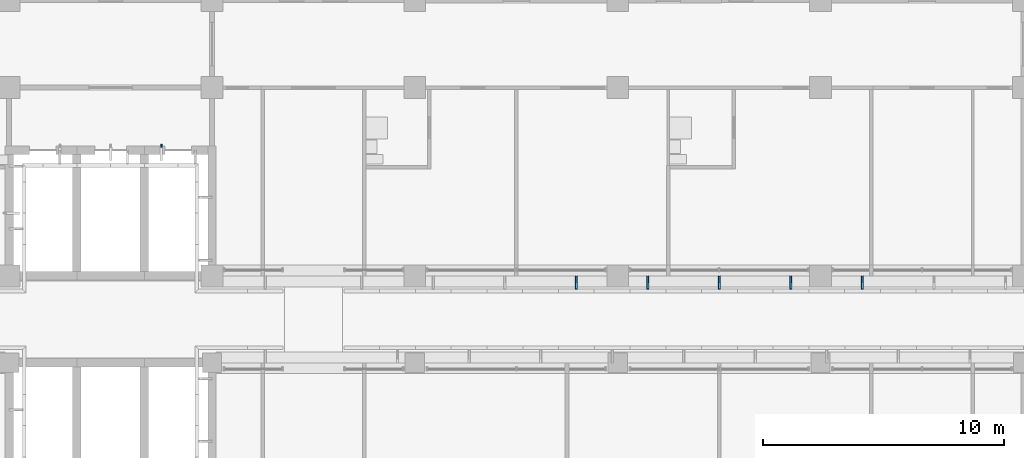
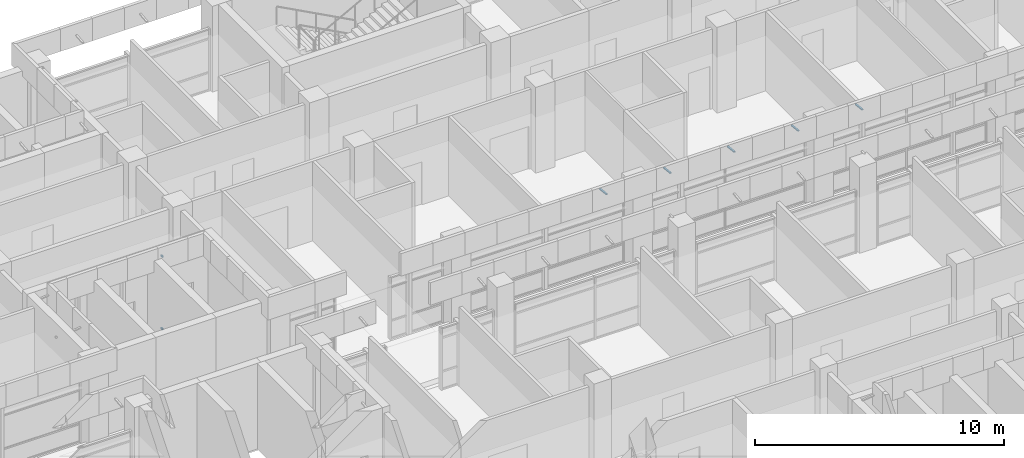
# One storey, part 102 of 137: 7 discrete accessories.
"""IFC4 building model written with IfcOpenShell, lengths in metres."""

import ifcopenshell
import ifcopenshell.guid

model = None  # the IFC model being written
_history = None  # IfcOwnerHistory: only IFC2X3 demands one
_inside = {}  # id of a spatial element -> (the spatial element, [elements in it])
_under = {}  # id of a project, library or spatial element -> (it, [spatial elements below it])
_declared = {}  # id of a project -> (the project, [libraries it declares])
_typed = {}  # id of a type object -> (the type object, [elements of that type])
_made_of = {}  # id of a material, layer set ... -> (it, [elements and type objects made of it])


def new_model(schema):
    """Start an empty IFC model of exactly this schema.

    Asked for "IFC4X3", IfcOpenShell would pick the latest addendum, in which some entities
    have other attributes; the version numbers below select the first issue.
    IFC2X3 requires an IfcOwnerHistory on every rooted entity: one is made here for all.
    """
    global model, _history
    if schema == "IFC4X3":
        model = ifcopenshell.file(schema_version=(4, 3, 0, 0))
    else:
        model = ifcopenshell.file(schema=schema)
    _inside.clear()
    _under.clear()
    _declared.clear()
    _typed.clear()
    _made_of.clear()
    _history = None
    if model.schema == "IFC2X3":
        org = make("IfcOrganization", Name="unknown")
        user = make(
            "IfcPersonAndOrganization",
            ThePerson=make("IfcPerson", FamilyName="unknown"),
            TheOrganization=org,
        )
        app = make(
            "IfcApplication",
            ApplicationDeveloper=org,
            Version="unknown",
            ApplicationFullName="unknown",
            ApplicationIdentifier="unknown",
        )
        _history = make(
            "IfcOwnerHistory",
            OwningUser=user,
            OwningApplication=app,
            ChangeAction="ADDED",
            CreationDate=0,
        )
    return model


def make(cls, **values):
    """One entity of the class cls with the attributes given. An attribute that is None is left unset."""
    return model.create_entity(
        cls, **{name: value for name, value in values.items() if value is not None}
    )


def rooted(cls, **values):
    """An entity with a GlobalId (a new one), such as an element, a storey or a relation."""
    return make(cls, GlobalId=ifcopenshell.guid.new(), OwnerHistory=_history, **values)


def si_unit(unit_type, name, prefix=None):
    """IfcSIUnit, for example si_unit("LENGTHUNIT", "METRE", prefix="MILLI")."""
    return make("IfcSIUnit", UnitType=unit_type, Prefix=prefix, Name=name)


def assignment(units):
    """IfcUnitAssignment: the units of a project."""
    return None if units is None else make("IfcUnitAssignment", Units=units)


def point(xyz):
    """IfcCartesianPoint."""
    return None if xyz is None else make("IfcCartesianPoint", Coordinates=xyz)


def direction(xyz):
    """IfcDirection."""
    return None if xyz is None else make("IfcDirection", DirectionRatios=xyz)


def frame(location, z_axis=None, x_axis=None):
    """IfcAxis2Placement3D, a coordinate frame: its origin and axes. An axis left out is left unset."""
    return make(
        "IfcAxis2Placement3D",
        Location=point(location),
        Axis=direction(z_axis),
        RefDirection=direction(x_axis),
    )


def frame_2d(location, x_axis=None):
    """IfcAxis2Placement2D, a coordinate frame in the plane: its origin and x axis."""
    return make(
        "IfcAxis2Placement2D", Location=point(location), RefDirection=direction(x_axis)
    )


def origin():
    """The frame at (0, 0, 0) with its axes left unset."""
    return frame((0.0, 0.0, 0.0))


def origin_2d():
    """The frame at (0, 0) in the plane with its x axis left unset."""
    return frame_2d((0.0, 0.0))


def place(relative_to, where):
    """IfcLocalPlacement: puts the frame where relative to a parent placement (None: the world)."""
    return make(
        "IfcLocalPlacement", PlacementRelTo=relative_to, RelativePlacement=where
    )


def context(
    kind, dimensions, precision=None, world=None, true_north=None, identifier=None
):
    """IfcGeometricRepresentationContext, for example the 3D "Model" context."""
    return make(
        "IfcGeometricRepresentationContext",
        ContextIdentifier=identifier,
        ContextType=kind,
        CoordinateSpaceDimension=dimensions,
        Precision=precision,
        WorldCoordinateSystem=world,
        TrueNorth=true_north,
    )


def subcontext(parent, identifier, kind, view, scale=None):
    """IfcGeometricRepresentationSubContext, for example "Body" below "Model"."""
    return make(
        "IfcGeometricRepresentationSubContext",
        ContextIdentifier=identifier,
        ContextType=kind,
        ParentContext=parent,
        TargetScale=scale,
        TargetView=view,
    )


def project(units=None, contexts=None):
    """IfcProject with its units and contexts."""
    return rooted(
        "IfcProject",
        Name="project",
        RepresentationContexts=contexts,
        UnitsInContext=assignment(units),
    )


def spatial(cls, under=None, at=None, **own):
    """A site, building, storey or space (cls), placed at a placement, below another one or the project."""
    s = rooted(cls, ObjectPlacement=at, **own)
    if under is not None:
        _under.setdefault(under.id(), (under, []))[1].append(s)
    return s


def profile(cls, at=None, kind="AREA", **sizes):
    """A parametric profile (cls). Its sizes go by their IFC names, for example OverallWidth=200.0."""
    return make(cls, ProfileType=kind, Position=at, **sizes)


def rectangle(**sizes):
    """IfcRectangleProfileDef."""
    return profile("IfcRectangleProfileDef", **sizes)


def extrude(swept, where, along, depth):
    """IfcExtrudedAreaSolid: the profile swept, set in the frame where, extruded along a direction by depth."""
    return make(
        "IfcExtrudedAreaSolid",
        SweptArea=swept,
        Position=where,
        ExtrudedDirection=direction(along),
        Depth=depth,
    )


def shape(context_of_items, identifier, shape_type, items):
    """IfcShapeRepresentation: the items that make up one representation, for example the "Body"."""
    return make(
        "IfcShapeRepresentation",
        ContextOfItems=context_of_items,
        RepresentationIdentifier=identifier,
        RepresentationType=shape_type,
        Items=items,
    )


def material(Name=None, Category=None):
    """IfcMaterial."""
    return make("IfcMaterial", Name=Name, Category=Category)


def material_profile(
    of_material, cross_section, Name=None, Category=None, Priority=None
):
    """IfcMaterialProfile: a cross section and its material."""
    return make(
        "IfcMaterialProfile",
        Name=Name,
        Material=of_material,
        Profile=cross_section,
        Priority=Priority,
        Category=Category,
    )


def profile_set(profiles, Name=None, composite=None):
    """IfcMaterialProfileSet."""
    return make(
        "IfcMaterialProfileSet",
        Name=Name,
        MaterialProfiles=profiles,
        CompositeProfile=composite,
    )


def made_of(thing, what):
    """Note that an element or type object is made of a material, layer set ...; save() writes the relation."""
    if what is not None:
        _made_of.setdefault(what.id(), (what, []))[1].append(thing)
    return thing


def type_object(cls, material=None, **own):
    """A type object (cls), such as IfcWallType, which elements share."""
    return made_of(rooted(cls, **own), material)


def element(
    cls,
    number,
    at=None,
    inside=None,
    cuts=None,
    type_object=None,
    material=None,
    context=None,
    identifier="Body",
    shape_type=None,
    held_by="IfcProductDefinitionShape",
    body=None,
    shapes=None,
    **own,
):
    """One element of the class cls, such as IfcWall. Its Tag is "e" and its number.

    at: its placement. inside: the storey or other place that contains it. cuts: it is an
    opening in that element (IfcRelVoidsElement). A single representation is given by context,
    identifier, shape_type and body (its items); several are given by shapes. held_by: the class
    of the entity that holds the representations. save() writes the other relations.
    """
    e = rooted(cls, Tag="e%d" % number, ObjectPlacement=at, **own)
    if body is not None:
        shapes = [shape(context, identifier, shape_type, body)]
    if shapes is not None:
        e.Representation = make(held_by, Representations=shapes)
    if inside is not None:
        _inside.setdefault(inside.id(), (inside, []))[1].append(e)
    if cuts is not None:
        rooted(
            "IfcRelVoidsElement", RelatingBuildingElement=cuts, RelatedOpeningElement=e
        )
    if type_object is not None:
        _typed.setdefault(type_object.id(), (type_object, []))[1].append(e)
    return made_of(e, material)


def aggregate(whole, parts):
    """IfcRelAggregates: a whole, such as a stair, and the parts it consists of."""
    return rooted("IfcRelAggregates", RelatingObject=whole, RelatedObjects=parts)


def save(model, path):
    """Write the relations noted so far, then the file.

    IfcRelAggregates (storeys below a building ...), IfcRelContainedInSpatialStructure (elements
    in a storey), IfcRelDefinesByType, IfcRelAssociatesMaterial and IfcRelDeclares: one each for
    every whole, place, type object, material and project.
    """
    for whole, parts in _under.values():
        aggregate(whole, parts)
    for where, things in _inside.values():
        rooted(
            "IfcRelContainedInSpatialStructure",
            RelatedElements=things,
            RelatingStructure=where,
        )
    for kind, things in _typed.values():
        rooted("IfcRelDefinesByType", RelatedObjects=things, RelatingType=kind)
    for what, things in _made_of.values():
        rooted("IfcRelAssociatesMaterial", RelatedObjects=things, RelatingMaterial=what)
    for by, libraries in _declared.values():
        rooted("IfcRelDeclares", RelatingContext=by, RelatedDefinitions=libraries)
    model.write(path)


model = new_model("IFC4")

# Units and contexts
model_context = context("Model", 3, precision=1e-05, world=origin(), true_north=direction((0.0, 1.0)))
body_context = subcontext(model_context, "Body", "Model", "MODEL_VIEW")
ifc_project = project(units=[si_unit("LENGTHUNIT", "METRE"), si_unit("AREAUNIT", "SQUARE_METRE"), si_unit("VOLUMEUNIT", "CUBIC_METRE"), si_unit("PLANEANGLEUNIT", "RADIAN"), si_unit("MASSUNIT", "GRAM", prefix="KILO")], contexts=[model_context])

# Site, building, storey
site_placement = place(None, origin())
site = spatial("IfcSite", under=ifc_project, at=site_placement, CompositionType="ELEMENT")
building_placement = place(site_placement, origin())
building = spatial("IfcBuilding", under=site, at=building_placement, Name="Bougainvillea Quay General Hospital", CompositionType="ELEMENT")
storey_placement = place(building_placement, frame((0.0, 0.0, 16.800048828125)))
storey = spatial("IfcBuildingStorey", under=building, at=storey_placement, Name="L03", CompositionType="ELEMENT", Elevation=16.800048828125)

# Discrete accessories
ifc_material = material(Name="Stainless steel bracket, grade 316", Category="steel")
discrete_accessory_type_1 = type_object("IfcDiscreteAccessoryType", Name="Stainless steel fin arm 60x80", PredefinedType="BRACKET", material=ifc_material)
for number, where, z_axis, x_axis, name in (
    (1, (73.5, 145.7900390625, 0.0), (0.0, 0.0, 1.0), (0.0, -1.0, 0.0), "Fin arm V5A L03 018.1B"),
    (2, (73.5, 145.7900390625, 3.5498046875), (0.0, 0.0, 1.0), (0.0, -1.0, 0.0), "Fin arm V5A L03 018.1T"),
):
    element("IfcDiscreteAccessory", number, at=place(storey_placement, frame(where, z_axis=z_axis, x_axis=x_axis)), inside=storey, type_object=discrete_accessory_type_1, Name=name, PredefinedType="BRACKET", context=body_context, shape_type="SweptSolid", body=[
        extrude(rectangle(XDim=0.1201171875, YDim=0.06005859375, at=origin_2d()), origin(), (0.0, 0.0, 1.0), 0.080078125),
    ])
ifc_material_profile = material_profile(ifc_material, rectangle(XDim=0.080078125, YDim=0.050048828125, at=origin_2d()))
ifc_profile_set = profile_set([ifc_material_profile], Name="Stainless steel bracket, grade 316")
discrete_accessory_type_2 = type_object("IfcDiscreteAccessoryType", Name="Stainless steel stand-off bracket 80x50", PredefinedType="BRACKET", material=ifc_profile_set)
for number, where, z_axis, x_axis, name in (
    (3, (90.686767578125, 140.39990234375, 4.139892578125), (0.0, -0.994086591779, 0.108590276011), (1.0, 0.0, 0.0), "Fascia bracket e1 7"),
    (4, (93.64892578125, 140.39990234375, 4.139892578125), (0.0, -0.994086591779, 0.108590276011), (1.0, 0.0, 0.0), "Fascia bracket e1 9"),
    (5, (96.611083984375, 140.39990234375, 4.139892578125), (0.0, -0.994086591779, 0.108590276011), (1.0, 0.0, 0.0), "Fascia bracket e1 11"),
    (6, (99.5732421875, 140.39990234375, 4.139892578125), (0.0, -0.994086591779, 0.108590276011), (1.0, 0.0, 0.0), "Fascia bracket e1 13"),
    (7, (102.53515625, 140.39990234375, 4.139892578125), (0.0, -0.994086591779, 0.108590276011), (1.0, 0.0, 0.0), "Fascia bracket e1 15"),
):
    element("IfcDiscreteAccessory", number, at=place(storey_placement, frame(where, z_axis=z_axis, x_axis=x_axis)), inside=storey, type_object=discrete_accessory_type_2, Name=name, PredefinedType="BRACKET", context=body_context, shape_type="SweptSolid", body=[
        extrude(rectangle(XDim=0.080078125, YDim=0.050048828125, at=origin_2d()), origin(), (0.0, 0.0, 1.0), 0.552978515625),
    ])

save(model, "model.ifc")
